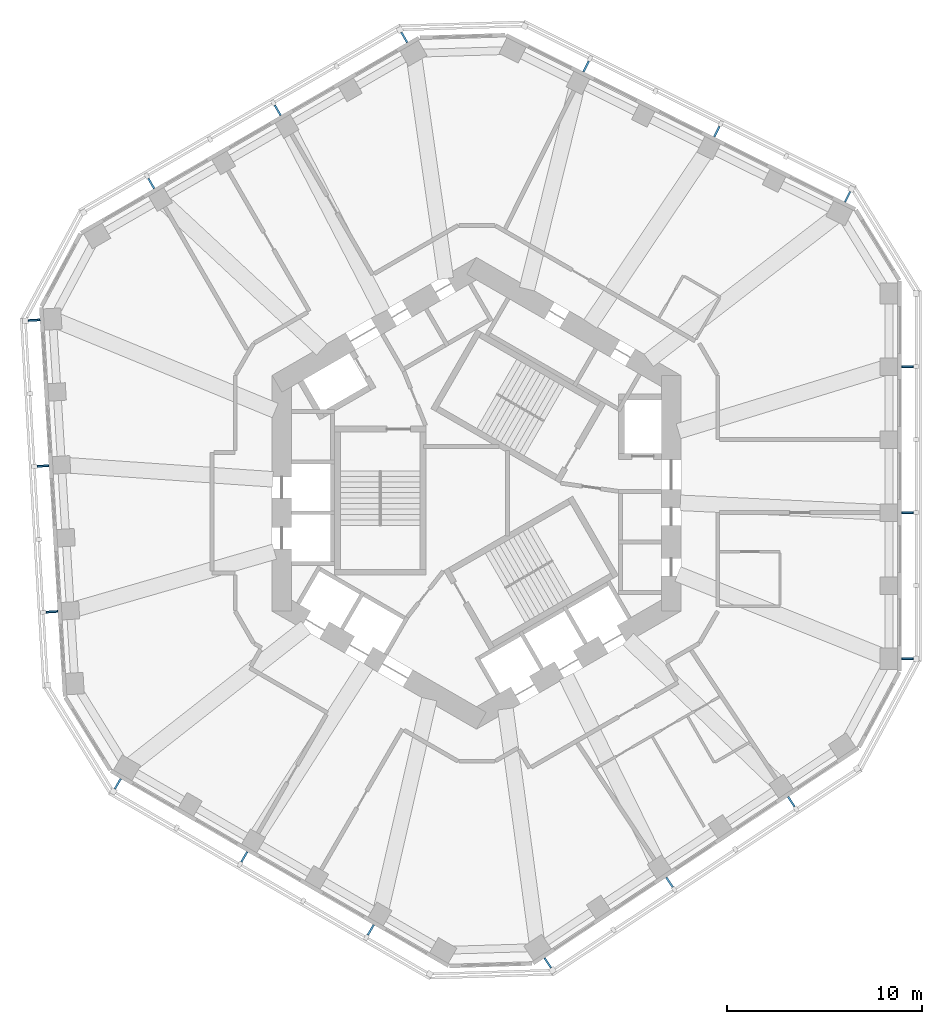
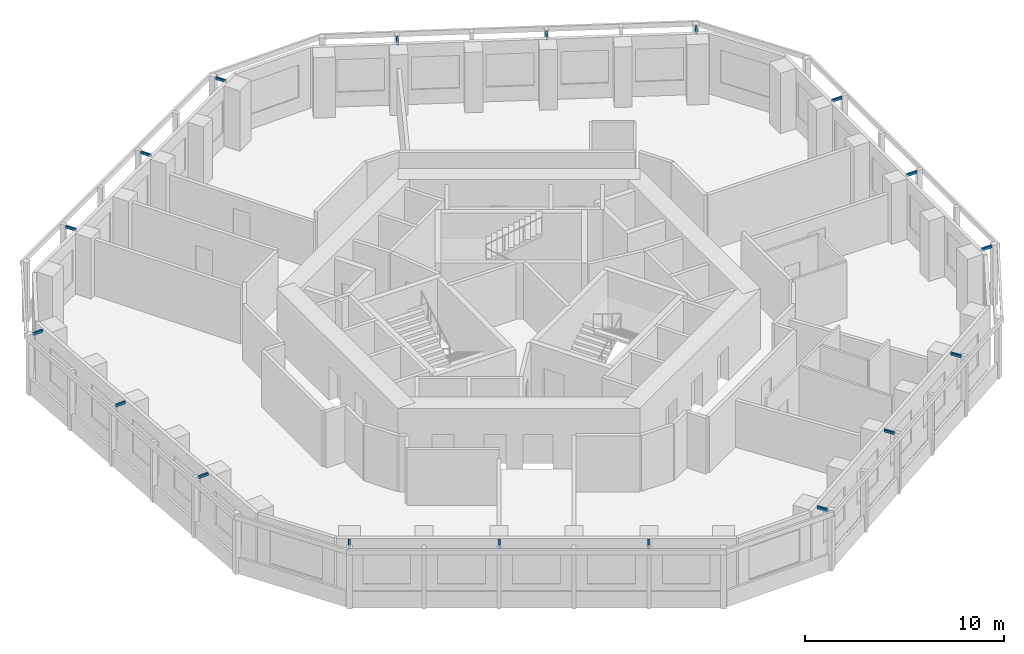
# One storey, part 9 of 10: 18 discrete accessories.
"""IFC4 building model written with IfcOpenShell, lengths in metres."""

from ifc_helpers import new_model, si_unit, direction, frame, origin, origin_2d, place, context, subcontext, project, spatial, rectangle, extrude, material, type_object, element, save


model = new_model("IFC4")

# Units and contexts
model_context = context("Model", 3, precision=1e-05, world=origin(), true_north=direction((0.0, 1.0)))
body_context = subcontext(model_context, "Body", "Model", "MODEL_VIEW")
ifc_project = project(units=[si_unit("LENGTHUNIT", "METRE"), si_unit("AREAUNIT", "SQUARE_METRE"), si_unit("VOLUMEUNIT", "CUBIC_METRE"), si_unit("PLANEANGLEUNIT", "RADIAN"), si_unit("MASSUNIT", "GRAM", prefix="KILO")], contexts=[model_context])

# Site, building, storey
site_placement = place(None, origin())
site = spatial("IfcSite", under=ifc_project, at=site_placement, CompositionType="ELEMENT")
building_placement = place(site_placement, origin())
building = spatial("IfcBuilding", under=site, at=building_placement, Name="Vanh Sen Convention Tower", CompositionType="ELEMENT")
storey_placement = place(building_placement, frame((0.0, 0.0, 194.699951171875)))
storey = spatial("IfcBuildingStorey", under=building, at=storey_placement, Name="L48", CompositionType="ELEMENT", Elevation=194.699951171875)

# Discrete accessories
ifc_material = material(Name="Steel S355", Category="steel")
discrete_accessory_type = type_object("IfcDiscreteAccessoryType", Name="Fin bracket 100 x 150", PredefinedType="BRACKET", material=ifc_material)
for number, where, z_axis, x_axis, name in (
    (1, (22.14990234375, -8.5009765625, 3.5), (0.0, 0.0, 1.0), (1.0, 0.0, 0.0), "Fin bracket E-1 L48"),
    (2, (22.14990234375, -0.992919921875, 3.5), (0.0, 0.0, 1.0), (1.0, 0.0, 0.0), "Fin bracket E-3 L48"),
    (3, (22.14990234375, 6.515380859375, 3.5), (0.0, 0.0, 1.0), (1.0, 0.0, 0.0), "Fin bracket E-5 L48"),
    (4, (19.073974609375, 15.240478515625, 3.5), (0.0, 0.0, 1.0), (0.44619781311, 0.894934361602, 0.0), "Fin bracket NE-1 L48"),
    (5, (12.3544921875, 18.5908203125, 3.5), (0.0, 0.0, 1.0), (0.44619781311, 0.894934361602, 0.0), "Fin bracket NE-3 L48"),
    (6, (5.635009765625, 21.94091796875, 3.5), (0.0, 0.0, 1.0), (0.44619781311, 0.894934361602, 0.0), "Fin bracket NE-5 L48"),
    (7, (-3.712890625, 23.432861328125, 3.5), (0.0, 0.0, 1.0), (-0.5, 0.866025403784, 0.0), "Fin bracket NW-1 L48"),
    (8, (-10.215087890625, 19.6787109375, 3.5), (0.0, 0.0, 1.0), (-0.5, 0.866025403784, 0.0), "Fin bracket NW-3 L48"),
    (9, (-16.717529296875, 15.9248046875, 3.5), (0.0, 0.0, 1.0), (-0.5, 0.866025403784, 0.0), "Fin bracket NW-5 L48"),
    (10, (-22.735595703125, 8.898193359375, 3.5), (0.0, 0.0, 1.0), (-0.998134798422, -0.061048539535, 0.0), "Fin bracket W-1 L48"),
    (11, (-22.277099609375, 1.40380859375, 3.5), (0.0, 0.0, 1.0), (-0.998134798422, -0.061048539535, 0.0), "Fin bracket W-3 L48"),
    (12, (-21.81884765625, -6.09033203125, 3.5), (0.0, 0.0, 1.0), (-0.998134798422, -0.061048539535, 0.0), "Fin bracket W-5 L48"),
    (13, (-18.43701171875, -14.931884765625, 3.5), (0.0, 0.0, 1.0), (-0.5, -0.866025403784, 0.0), "Fin bracket SW-1 L48"),
    (14, (-11.934814453125, -18.68603515625, 3.5), (0.0, 0.0, 1.0), (-0.5, -0.866025403784, 0.0), "Fin bracket SW-3 L48"),
    (15, (-5.4326171875, -22.440185546875, 3.5), (0.0, 0.0, 1.0), (-0.5, -0.866025403784, 0.0), "Fin bracket SW-5 L48"),
    (16, (3.66162109375, -24.138671875, 3.5), (0.0, 0.0, 1.0), (0.551936985312, -0.833885822067, 0.0), "Fin bracket SE-1 L48"),
    (17, (9.922607421875, -19.99462890625, 3.5), (0.0, 0.0, 1.0), (0.551936985312, -0.833885822067, 0.0), "Fin bracket SE-3 L48"),
    (18, (16.18359375, -15.8505859375, 3.5), (0.0, 0.0, 1.0), (0.551936985312, -0.833885822067, 0.0), "Fin bracket SE-5 L48"),
):
    element("IfcDiscreteAccessory", number, at=place(storey_placement, frame(where, z_axis=z_axis, x_axis=x_axis)), inside=storey, type_object=discrete_accessory_type, Name=name, PredefinedType="BRACKET", context=body_context, shape_type="SweptSolid", body=[
        extrude(rectangle(XDim=0.60009765625, YDim=0.10009765625, at=origin_2d()), origin(), (0.0, 0.0, 1.0), 0.14990234375),
    ])

save(model, "model.ifc")
